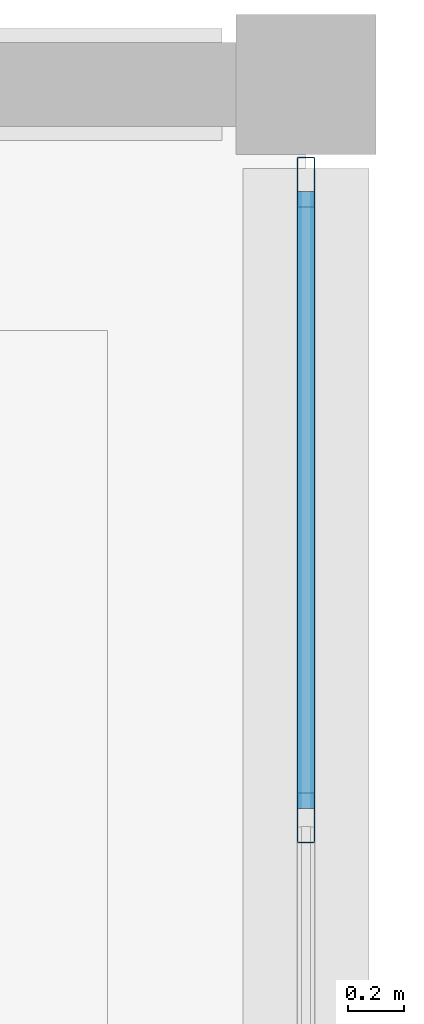
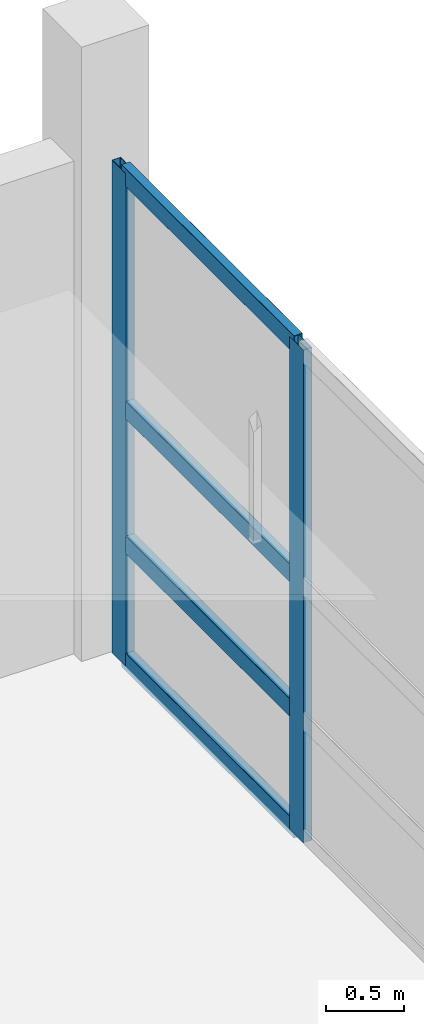
# One storey, part 67 of 147: 6 members, 1 element without a shape of its own.
"""IFC4 building model written with IfcOpenShell, lengths in metres."""

from ifc_helpers import new_model, si_unit, direction, frame, origin, origin_2d, place, context, subcontext, project, spatial, hollow_rectangle, extrude, material, material_profile, profile_set, type_object, element, aggregate, save


model = new_model("IFC4")

# Units and contexts
model_context = context("Model", 3, precision=1e-05, world=origin(), true_north=direction((0.0, 1.0)))
body_context = subcontext(model_context, "Body", "Model", "MODEL_VIEW")
ifc_project = project(units=[si_unit("LENGTHUNIT", "METRE"), si_unit("AREAUNIT", "SQUARE_METRE"), si_unit("VOLUMEUNIT", "CUBIC_METRE"), si_unit("PLANEANGLEUNIT", "RADIAN"), si_unit("MASSUNIT", "GRAM", prefix="KILO")], contexts=[model_context])

# Site, building, storey
site_placement = place(None, origin())
site = spatial("IfcSite", under=ifc_project, at=site_placement, CompositionType="ELEMENT")
building_placement = place(site_placement, origin())
building = spatial("IfcBuilding", under=site, at=building_placement, Name="Khelvaren Railside Concert Hall", CompositionType="ELEMENT")
storey_placement = place(building_placement, frame((0.0, 0.0, 5.39990234375)))
storey = spatial("IfcBuildingStorey", under=building, at=storey_placement, Name="L01", CompositionType="ELEMENT", Elevation=5.39990234375)

# Curtain wall, members
ifc_material_1 = material(Name="Double-glazed low-E dark acoustic glass", Category="glass")
curtain_wall_type = type_object("IfcCurtainWallType", Name="CW69", PredefinedType="USERDEFINED", material=ifc_material_1)
curtain_wall_placement = place(storey_placement, origin())
curtain_wall = element("IfcCurtainWall", 1, at=curtain_wall_placement, inside=storey, type_object=curtain_wall_type, Name="Unitised Curtain Wall CW-V5-L01-E-106", ObjectType="UNITISED CURTAIN WALL", PredefinedType="USERDEFINED")
ifc_material_2 = material(Name="Anodised architectural aluminium 6063-T6", Category="aluminium")
ifc_material_profile_1 = material_profile(ifc_material_2, hollow_rectangle(XDim=0.06494140625, YDim=0.179931640625, WallThickness=0.00390625, InnerFilletRadius=0.001953125, OuterFilletRadius=0.00390625, at=origin_2d()), Name="CWM 65x180x4")
ifc_profile_set_1 = profile_set([ifc_material_profile_1], Name="Anodised architectural aluminium 6063-T6")
member_type_1 = type_object("IfcMemberType", Name="CWM63", PredefinedType="MULLION", material=ifc_profile_set_1)
member_1_placement = place(storey_placement, frame((184.0, 113.64990234375, 0.0), z_axis=(0.0, 0.0, 1.0), x_axis=(1.0, 0.0, 0.0)))
member_1 = element("IfcMember", 2, at=member_1_placement, type_object=member_type_1, Name="CW69 mullion 1", PredefinedType="MULLION", context=body_context, shape_type="SweptSolid", body=[
    extrude(hollow_rectangle(XDim=0.06494140625, YDim=0.179931640625, WallThickness=0.00390625, InnerFilletRadius=0.001953125, OuterFilletRadius=0.00390625, at=origin_2d()), origin(), (0.0, 0.0, 1.0), 3.85009765625),
])
member_2_placement = place(storey_placement, frame((184.0, 111.37744140625, 0.0), z_axis=(0.0, 0.0, 1.0), x_axis=(1.0, 0.0, 0.0)))
member_2 = element("IfcMember", 3, at=member_2_placement, type_object=member_type_1, Name="CW69 mullion 2", PredefinedType="MULLION", context=body_context, shape_type="SweptSolid", body=[
    extrude(hollow_rectangle(XDim=0.06494140625, YDim=0.179931640625, WallThickness=0.00390625, InnerFilletRadius=0.001953125, OuterFilletRadius=0.00390625, at=origin_2d()), origin(), (0.0, 0.0, 1.0), 3.85009765625),
])
ifc_material_profile_2 = material_profile(ifc_material_2, hollow_rectangle(XDim=0.06494140625, YDim=0.139892578125, WallThickness=0.00390625, InnerFilletRadius=0.001953125, OuterFilletRadius=0.00390625, at=origin_2d()), Name="CWT 65x140x4")
ifc_profile_set_2 = profile_set([ifc_material_profile_2], Name="Anodised architectural aluminium 6063-T6")
member_type_2 = type_object("IfcMemberType", Name="CWT72", PredefinedType="USERDEFINED", material=ifc_profile_set_2)
member_3_placement = place(storey_placement, frame((184.0, 113.617431640625, 0.03271484375), z_axis=(0.0, -1.0, 0.0), x_axis=(1.0, 0.0, 0.0)))
member_3 = element("IfcMember", 4, at=member_3_placement, type_object=member_type_2, Name="CW69 transom 1.1", ObjectType="TRANSOM", PredefinedType="USERDEFINED", context=body_context, shape_type="SweptSolid", body=[
    extrude(hollow_rectangle(XDim=0.06494140625, YDim=0.139892578125, WallThickness=0.00390625, InnerFilletRadius=0.001953125, OuterFilletRadius=0.00390625, at=origin_2d()), origin(), (0.0, 0.0, 1.0), 2.20751953125),
])
member_4_placement = place(storey_placement, frame((184.0, 113.617431640625, 0.9501953125), z_axis=(0.0, -1.0, 0.0), x_axis=(1.0, 0.0, 0.0)))
member_4 = element("IfcMember", 5, at=member_4_placement, type_object=member_type_2, Name="CW69 transom 1.2", ObjectType="TRANSOM", PredefinedType="USERDEFINED", context=body_context, shape_type="SweptSolid", body=[
    extrude(hollow_rectangle(XDim=0.06494140625, YDim=0.139892578125, WallThickness=0.00390625, InnerFilletRadius=0.001953125, OuterFilletRadius=0.00390625, at=origin_2d()), origin(), (0.0, 0.0, 1.0), 2.20751953125),
])
member_5_placement = place(storey_placement, frame((184.0, 113.617431640625, 2.002197265625), z_axis=(0.0, -1.0, 0.0), x_axis=(1.0, 0.0, 0.0)))
member_5 = element("IfcMember", 6, at=member_5_placement, type_object=member_type_2, Name="CW69 transom 1.3", ObjectType="TRANSOM", PredefinedType="USERDEFINED", context=body_context, shape_type="SweptSolid", body=[
    extrude(hollow_rectangle(XDim=0.06494140625, YDim=0.139892578125, WallThickness=0.00390625, InnerFilletRadius=0.001953125, OuterFilletRadius=0.00390625, at=origin_2d()), origin(), (0.0, 0.0, 1.0), 2.20751953125),
])
member_6_placement = place(storey_placement, frame((184.0, 113.617431640625, 3.817626953125), z_axis=(0.0, -1.0, 0.0), x_axis=(1.0, 0.0, 0.0)))
member_6 = element("IfcMember", 7, at=member_6_placement, type_object=member_type_2, Name="CW69 transom 1.4", ObjectType="TRANSOM", PredefinedType="USERDEFINED", context=body_context, shape_type="SweptSolid", body=[
    extrude(hollow_rectangle(XDim=0.06494140625, YDim=0.139892578125, WallThickness=0.00390625, InnerFilletRadius=0.001953125, OuterFilletRadius=0.00390625, at=origin_2d()), origin(), (0.0, 0.0, 1.0), 2.20751953125),
])
aggregate(curtain_wall, [member_1, member_2, member_3, member_4, member_5, member_6])

save(model, "model.ifc")
